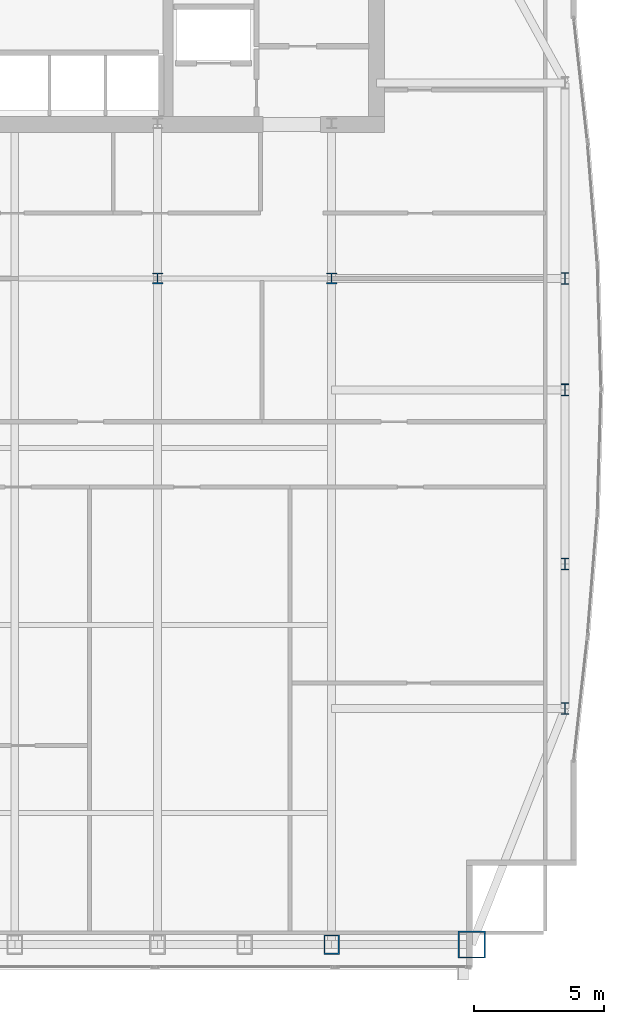
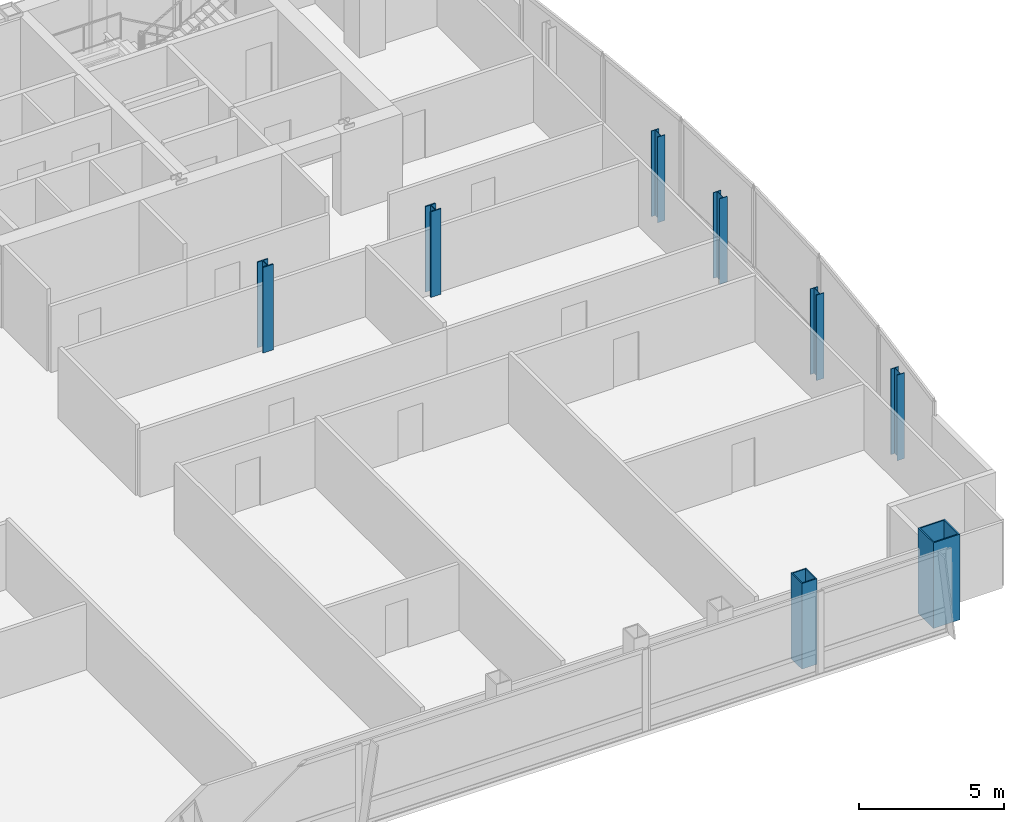
# One storey, part 2 of 29: 8 columns.
"""IFC4 building model written with IfcOpenShell, lengths in metres."""

from ifc_helpers import new_model, si_unit, direction, frame, origin, origin_2d, place, context, subcontext, project, spatial, hollow_rectangle, i_section, extrude, material, material_profile, profile_set, type_object, element, save


model = new_model("IFC4")

# Units and contexts
model_context = context("Model", 3, precision=1e-05, world=origin(), true_north=direction((0.0, 1.0)))
body_context = subcontext(model_context, "Body", "Model", "MODEL_VIEW")
ifc_project = project(units=[si_unit("LENGTHUNIT", "METRE"), si_unit("AREAUNIT", "SQUARE_METRE"), si_unit("VOLUMEUNIT", "CUBIC_METRE"), si_unit("PLANEANGLEUNIT", "RADIAN"), si_unit("MASSUNIT", "GRAM", prefix="KILO")], contexts=[model_context])

# Site, building, storey
site_placement = place(None, origin())
site = spatial("IfcSite", under=ifc_project, at=site_placement, CompositionType="ELEMENT")
building_placement = place(site_placement, origin())
building = spatial("IfcBuilding", under=site, at=building_placement, Name="Khoronbel Lancet Exchange", CompositionType="ELEMENT")
storey_placement = place(building_placement, frame((0.0, 0.0, 242.60009765625)))
storey = spatial("IfcBuildingStorey", under=building, at=storey_placement, Name="L62", CompositionType="ELEMENT", Elevation=242.60009765625)

# Columns
ifc_material_1 = material(Name="Steel S460", Category="steel")
ifc_material_profile_1 = material_profile(ifc_material_1, hollow_rectangle(XDim=0.60009765625, YDim=0.75, WallThickness=0.044921875, at=origin_2d()), Name="BOX 750x600x45")
ifc_profile_set_1 = profile_set([ifc_material_profile_1], Name="Steel S460")
column_type_1 = type_object("IfcColumnType", Name="COL-EC3", PredefinedType="COLUMN", material=ifc_profile_set_1)
column_1_placement = place(storey_placement, frame((54.675048828125, 10.14990234375, 0.0), z_axis=(0.0, 0.0, 1.0), x_axis=(1.0, 0.0, 0.0)))
element("IfcColumn", 1, at=column_1_placement, inside=storey, type_object=column_type_1, Name="Structural column SC-E2 L62", PredefinedType="COLUMN", context=body_context, shape_type="SweptSolid", body=[
    extrude(hollow_rectangle(XDim=0.60009765625, YDim=0.75, WallThickness=0.044921875, at=origin_2d()), origin(), (0.0, 0.0, 1.0), 3.599853515625),
])
ifc_material_2 = material(Name="Steel S355", Category="steel")
ifc_material_profile_2 = material_profile(ifc_material_2, i_section(OverallWidth=0.406005859375, OverallDepth=0.416015625, WebThickness=0.02978515625, FlangeThickness=0.048095703125, at=origin_2d()), Name="HD 400x382")
ifc_profile_set_2 = profile_set([ifc_material_profile_2], Name="Steel S355")
column_type_2 = type_object("IfcColumnType", Name="COL-IC3", PredefinedType="COLUMN", material=ifc_profile_set_2)
for number, where, z_axis, x_axis, name in (
    (2, (48.0, 35.699951171875, 0.0), (0.0, 0.0, 1.0), (1.0, 0.0, 0.0), "Spine gravity column TC3 L62"),
    (3, (54.675048828125, 35.699951171875, 0.0), (0.0, 0.0, 1.0), (1.0, 0.0, 0.0), "Spine gravity column TC4 L62"),
):
    element("IfcColumn", number, at=place(storey_placement, frame(where, z_axis=z_axis, x_axis=x_axis)), inside=storey, type_object=column_type_2, Name=name, PredefinedType="COLUMN", context=body_context, shape_type="SweptSolid", body=[
        extrude(i_section(OverallWidth=0.406005859375, OverallDepth=0.416015625, WebThickness=0.02978515625, FlangeThickness=0.048095703125, at=origin_2d()), origin(), (0.0, 0.0, 1.0), 3.599853515625),
    ])
ifc_material_profile_3 = material_profile(ifc_material_2, i_section(OverallWidth=0.300048828125, OverallDepth=0.449951171875, WebThickness=0.013916015625, FlangeThickness=0.02587890625, at=origin_2d()), Name="HEB 450")
ifc_profile_set_3 = profile_set([ifc_material_profile_3], Name="Steel S355")
column_type_3 = type_object("IfcColumnType", Name="COL-LC2", PredefinedType="COLUMN", material=ifc_profile_set_3)
for number, where, z_axis, x_axis, name in (
    (4, (63.6298828125, 19.199951171875, 0.0), (0.0, 0.0, 1.0), (1.0, 0.0, 0.0), "Structural column EC-1 L62"),
    (5, (63.6298828125, 24.75, 0.0), (0.0, 0.0, 1.0), (1.0, 0.0, 0.0), "Structural column EC-2 L62"),
    (6, (63.6298828125, 31.425048828125, 0.0), (0.0, 0.0, 1.0), (1.0, 0.0, 0.0), "Structural column EC-M L62"),
    (7, (63.6298828125, 35.699951171875, 0.0), (0.0, 0.0, 1.0), (1.0, 0.0, 0.0), "Structural column EC-3 L62"),
):
    element("IfcColumn", number, at=place(storey_placement, frame(where, z_axis=z_axis, x_axis=x_axis)), inside=storey, type_object=column_type_3, Name=name, PredefinedType="COLUMN", context=body_context, shape_type="SweptSolid", body=[
        extrude(i_section(OverallWidth=0.300048828125, OverallDepth=0.449951171875, WebThickness=0.013916015625, FlangeThickness=0.02587890625, at=origin_2d()), origin(), (0.0, 0.0, 1.0), 3.599853515625),
    ])
ifc_material_profile_4 = material_profile(ifc_material_1, hollow_rectangle(XDim=1.050048828125, YDim=1.050048828125, WallThickness=0.054931640625, at=origin_2d()), Name="BOX 1050x1050x55")
ifc_profile_set_4 = profile_set([ifc_material_profile_4], Name="Steel S460")
column_type_4 = type_object("IfcColumnType", Name="COL-MC6", PredefinedType="COLUMN", material=ifc_profile_set_4)
column_2_placement = place(storey_placement, frame((60.050048828125, 10.14990234375, 0.0), z_axis=(0.0, 0.0, 1.0), x_axis=(1.0, 0.0, 0.0)))
element("IfcColumn", 8, at=column_2_placement, inside=storey, type_object=column_type_4, Name="Structural column MC-SE L62", PredefinedType="COLUMN", context=body_context, shape_type="SweptSolid", body=[
    extrude(hollow_rectangle(XDim=1.050048828125, YDim=1.050048828125, WallThickness=0.054931640625, at=origin_2d()), origin(), (0.0, 0.0, 1.0), 3.599853515625),
])

save(model, "model.ifc")
